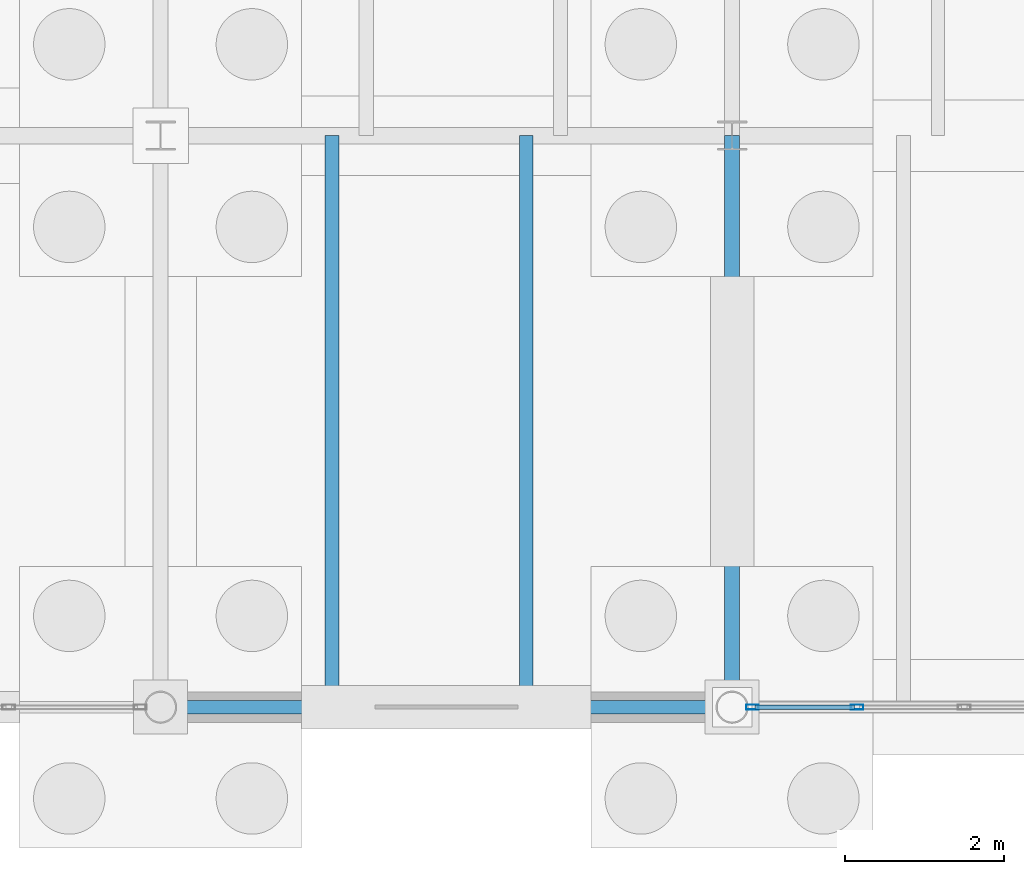
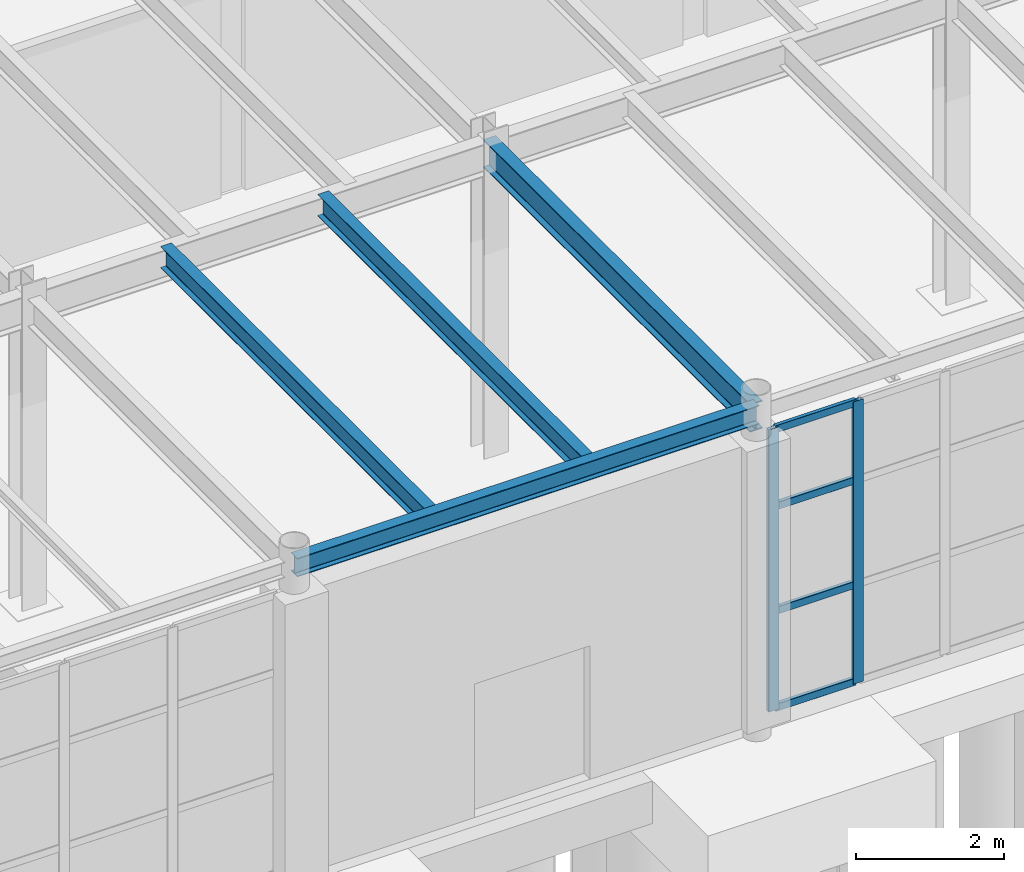
# One storey, part 44 of 293: 6 members, 4 beams, 1 element without a shape of its own.
"""IFC4 building model written with IfcOpenShell, lengths in metres."""

from ifc_helpers import new_model, si_unit, direction, frame, origin, origin_2d, place, context, subcontext, project, spatial, hollow_rectangle, i_section, extrude, material, layer, layer_set, material_profile, profile_set, type_object, element, aggregate, save


model = new_model("IFC4")

# Units and contexts
model_context = context("Model", 3, precision=1e-05, world=origin(), true_north=direction((0.0, 1.0)))
body_context = subcontext(model_context, "Body", "Model", "MODEL_VIEW")
ifc_project = project(units=[si_unit("LENGTHUNIT", "METRE"), si_unit("AREAUNIT", "SQUARE_METRE"), si_unit("VOLUMEUNIT", "CUBIC_METRE"), si_unit("PLANEANGLEUNIT", "RADIAN"), si_unit("MASSUNIT", "GRAM", prefix="KILO")], contexts=[model_context])

# Site, building, storey
site_placement = place(None, origin())
site = spatial("IfcSite", under=ifc_project, at=site_placement, CompositionType="ELEMENT")
building_placement = place(site_placement, origin())
building = spatial("IfcBuilding", under=site, at=building_placement, Name="Kemerveld Promenade Tramway Depot", CompositionType="ELEMENT")
storey_placement = place(building_placement, origin())
storey = spatial("IfcBuildingStorey", under=building, at=storey_placement, Name="L00", CompositionType="ELEMENT", Elevation=0.0)

# Beams
ifc_material_1 = material(Name="Steel S355", Category="steel")
ifc_material_profile_1 = material_profile(ifc_material_1, i_section(OverallWidth=0.19140625, OverallDepth=0.4599609375, WebThickness=0.010009765625, FlangeThickness=0.01611328125, FilletRadius=0.01025390625, at=origin_2d()), Name="457x191x82 UB")
ifc_profile_set_1 = profile_set([ifc_material_profile_1], Name="Steel S355")
beam_type_1 = type_object("IfcBeamType", Name="BM-G06", PredefinedType="BEAM", material=ifc_profile_set_1)
beam_1_placement = place(storey_placement, frame((28.800048828125, 0.0, 4.919921875), z_axis=(0.0, 1.0, 0.0), x_axis=(-1.0, 0.0, 0.0)))
element("IfcBeam", 1, at=beam_1_placement, inside=storey, type_object=beam_type_1, Name="BMY-L00-05-A-B", PredefinedType="BEAM", context=body_context, shape_type="SweptSolid", body=[
    extrude(i_section(OverallWidth=0.19140625, OverallDepth=0.4599609375, WebThickness=0.010009765625, FlangeThickness=0.01611328125, FilletRadius=0.01025390625, at=origin_2d()), origin(), (0.0, 0.0, 1.0), 7.199951171875),
])
ifc_material_profile_2 = material_profile(ifc_material_1, i_section(OverallWidth=0.165771484375, OverallDepth=0.306640625, WebThickness=0.006591796875, FlangeThickness=0.01171875, FilletRadius=0.0087890625, at=origin_2d()), Name="305x165x46 UB")
ifc_profile_set_2 = profile_set([ifc_material_profile_2], Name="Steel S355")
beam_type_2 = type_object("IfcBeamType", Name="BM-G16", PredefinedType="BEAM", material=ifc_profile_set_2)
beam_2_placement = place(storey_placement, frame((21.60009765625, 0.0, 4.99658203125), z_axis=(1.0, 0.0, 0.0), x_axis=(0.0, 1.0, 0.0)))
element("IfcBeam", 2, at=beam_2_placement, inside=storey, type_object=beam_type_2, Name="BMX-L00-04-05-A", PredefinedType="BEAM", context=body_context, shape_type="SweptSolid", body=[
    extrude(i_section(OverallWidth=0.165771484375, OverallDepth=0.306640625, WebThickness=0.006591796875, FlangeThickness=0.01171875, FilletRadius=0.0087890625, at=origin_2d()), origin(), (0.0, 0.0, 1.0), 7.199951171875),
])
ifc_material_profile_3 = material_profile(ifc_material_1, i_section(OverallWidth=0.172119140625, OverallDepth=0.35791015625, WebThickness=0.008056640625, FlangeThickness=0.012939453125, FilletRadius=0.01025390625, at=origin_2d()), Name="356x171x57 UB")
ifc_profile_set_3 = profile_set([ifc_material_profile_3], Name="Steel S355")
beam_type_3 = type_object("IfcBeamType", Name="BM-J04", PredefinedType="JOIST", material=ifc_profile_set_3)
for number, where, z_axis, x_axis, name in (
    (3, (23.760009765625, 0.0, 4.970947265625), (0.0, 1.0, 0.0), (-1.0, 0.0, 0.0), "JST-L00-04-A-1"),
    (4, (26.2080078125, 0.0, 4.970947265625), (0.0, 1.0, 0.0), (-1.0, 0.0, 0.0), "JST-L00-04-A-2"),
):
    element("IfcBeam", number, at=place(storey_placement, frame(where, z_axis=z_axis, x_axis=x_axis)), inside=storey, type_object=beam_type_3, Name=name, PredefinedType="JOIST", context=body_context, shape_type="SweptSolid", body=[
        extrude(i_section(OverallWidth=0.172119140625, OverallDepth=0.35791015625, WebThickness=0.008056640625, FlangeThickness=0.012939453125, FilletRadius=0.01025390625, at=origin_2d()), origin(), (0.0, 0.0, 1.0), 7.199951171875),
    ])

# Curtain wall, members
ifc_material_2 = material(Name="Bronze anodised aluminium and solar glass", Category="aluminium")
ifc_layer = layer(ifc_material_2, 0.159912109375)
ifc_layer_set = layer_set([ifc_layer], Name="CW-SYS-07")
curtain_wall_type = type_object("IfcCurtainWallType", Name="CW-SYS-07", PredefinedType="USERDEFINED", material=ifc_layer_set)
curtain_wall_placement = place(storey_placement, origin())
curtain_wall = element("IfcCurtainWall", 5, at=curtain_wall_placement, inside=storey, type_object=curtain_wall_type, Name="CW-L00-V5S-04", ObjectType="GLAZED_CURTAIN_WALL", PredefinedType="USERDEFINED")
ifc_material_3 = material(Name="Bronze anodised aluminium", Category="aluminium")
ifc_material_profile_4 = material_profile(ifc_material_3, hollow_rectangle(XDim=0.06494140625, YDim=0.159912109375, WallThickness=0.00390625, InnerFilletRadius=0.001953125, OuterFilletRadius=0.00390625, at=origin_2d()), Name="CW-MUL-160x65")
ifc_profile_set_4 = profile_set([ifc_material_profile_4], Name="Bronze anodised aluminium")
member_type_1 = type_object("IfcMemberType", Name="CW-MUL-A", PredefinedType="MULLION", material=ifc_profile_set_4)
member_1_placement = place(storey_placement, frame((30.3740234375, 0.0, 0.0), z_axis=(0.0, 0.0, 1.0), x_axis=(0.0, -1.0, 0.0)))
member_1 = element("IfcMember", 6, at=member_1_placement, type_object=member_type_1, Name="CW07 mullion 5", PredefinedType="MULLION", context=body_context, shape_type="SweptSolid", body=[
    extrude(hollow_rectangle(XDim=0.06494140625, YDim=0.159912109375, WallThickness=0.00390625, InnerFilletRadius=0.001953125, OuterFilletRadius=0.00390625, at=origin_2d()), origin(), (0.0, 0.0, 1.0), 4.64990234375),
])
member_2_placement = place(storey_placement, frame((29.0556640625, 0.0, 0.0), z_axis=(0.0, 0.0, 1.0), x_axis=(0.0, -1.0, 0.0)))
member_2 = element("IfcMember", 7, at=member_2_placement, type_object=member_type_1, Name="CW07 mullion 6", PredefinedType="MULLION", context=body_context, shape_type="SweptSolid", body=[
    extrude(hollow_rectangle(XDim=0.06494140625, YDim=0.159912109375, WallThickness=0.00390625, InnerFilletRadius=0.001953125, OuterFilletRadius=0.00390625, at=origin_2d()), origin(), (0.0, 0.0, 1.0), 4.64990234375),
])
ifc_material_profile_5 = material_profile(ifc_material_3, hollow_rectangle(XDim=0.06005859375, YDim=0.1201171875, WallThickness=0.00390625, InnerFilletRadius=0.001953125, OuterFilletRadius=0.00390625, at=origin_2d()), Name="CW-TRN-120x60")
ifc_profile_set_5 = profile_set([ifc_material_profile_5], Name="Bronze anodised aluminium")
member_type_2 = type_object("IfcMemberType", Name="CW-TRN-A", PredefinedType="USERDEFINED", material=ifc_profile_set_5)
member_3_placement = place(storey_placement, frame((30.34130859375, 0.0, 0.030029296875), z_axis=(-1.0, 0.0, 0.0), x_axis=(0.0, -1.0, 0.0)))
member_3 = element("IfcMember", 8, at=member_3_placement, type_object=member_type_2, Name="CW07 transom 5.1", ObjectType="TRANSOM", PredefinedType="USERDEFINED", context=body_context, shape_type="SweptSolid", body=[
    extrude(hollow_rectangle(XDim=0.06005859375, YDim=0.1201171875, WallThickness=0.00390625, InnerFilletRadius=0.001953125, OuterFilletRadius=0.00390625, at=origin_2d()), origin(), (0.0, 0.0, 1.0), 1.253173828125),
])
member_4_placement = place(storey_placement, frame((30.34130859375, 0.0, 1.626953125), z_axis=(-1.0, 0.0, 0.0), x_axis=(0.0, -1.0, 0.0)))
member_4 = element("IfcMember", 9, at=member_4_placement, type_object=member_type_2, Name="CW07 transom 5.2", ObjectType="TRANSOM", PredefinedType="USERDEFINED", context=body_context, shape_type="SweptSolid", body=[
    extrude(hollow_rectangle(XDim=0.06005859375, YDim=0.1201171875, WallThickness=0.00390625, InnerFilletRadius=0.001953125, OuterFilletRadius=0.00390625, at=origin_2d()), origin(), (0.0, 0.0, 1.0), 1.253173828125),
])
member_5_placement = place(storey_placement, frame((30.34130859375, 0.0, 3.347900390625), z_axis=(-1.0, 0.0, 0.0), x_axis=(0.0, -1.0, 0.0)))
member_5 = element("IfcMember", 10, at=member_5_placement, type_object=member_type_2, Name="CW07 transom 5.3", ObjectType="TRANSOM", PredefinedType="USERDEFINED", context=body_context, shape_type="SweptSolid", body=[
    extrude(hollow_rectangle(XDim=0.06005859375, YDim=0.1201171875, WallThickness=0.00390625, InnerFilletRadius=0.001953125, OuterFilletRadius=0.00390625, at=origin_2d()), origin(), (0.0, 0.0, 1.0), 1.253173828125),
])
member_6_placement = place(storey_placement, frame((30.34130859375, 0.0, 4.6201171875), z_axis=(-1.0, 0.0, 0.0), x_axis=(0.0, -1.0, 0.0)))
member_6 = element("IfcMember", 11, at=member_6_placement, type_object=member_type_2, Name="CW07 transom 5.4", ObjectType="TRANSOM", PredefinedType="USERDEFINED", context=body_context, shape_type="SweptSolid", body=[
    extrude(hollow_rectangle(XDim=0.06005859375, YDim=0.1201171875, WallThickness=0.00390625, InnerFilletRadius=0.001953125, OuterFilletRadius=0.00390625, at=origin_2d()), origin(), (0.0, 0.0, 1.0), 1.253173828125),
])
aggregate(curtain_wall, [member_1, member_2, member_3, member_4, member_5, member_6])

save(model, "model.ifc")
